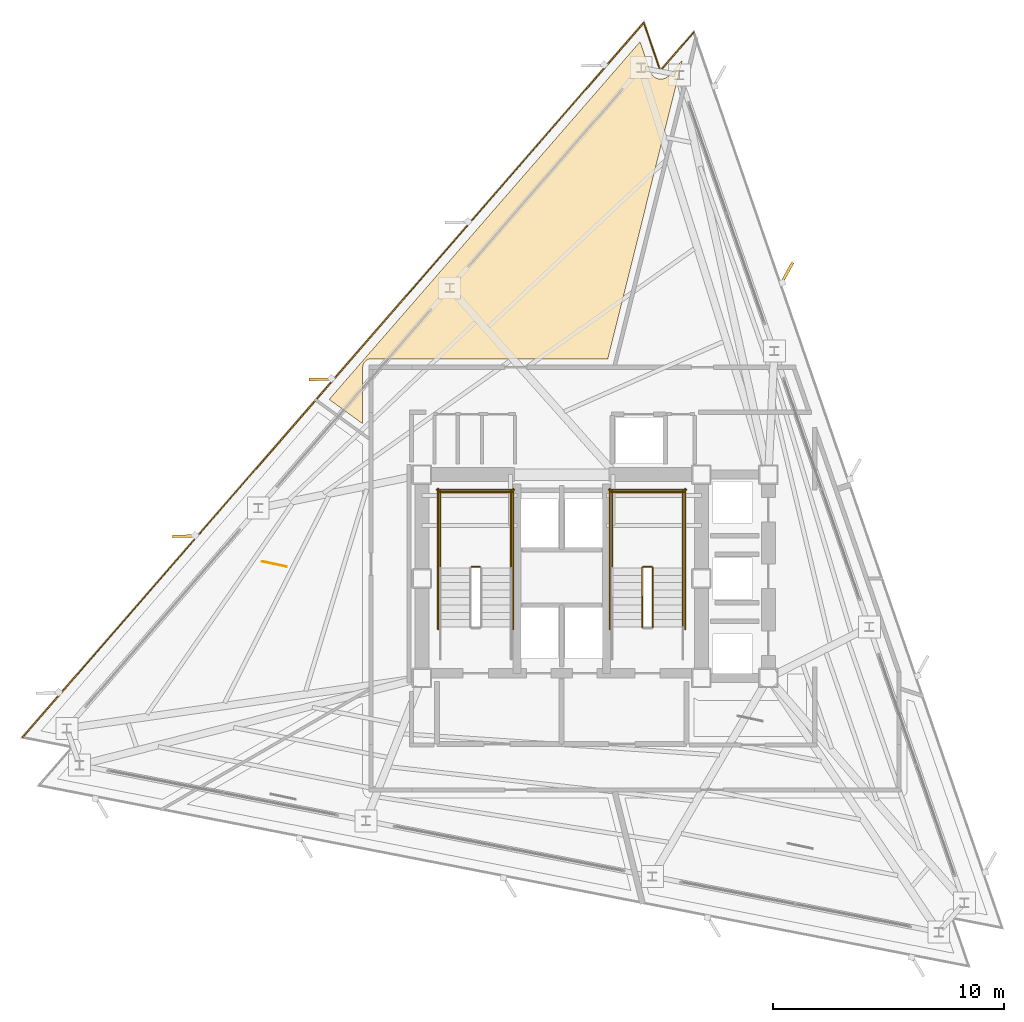
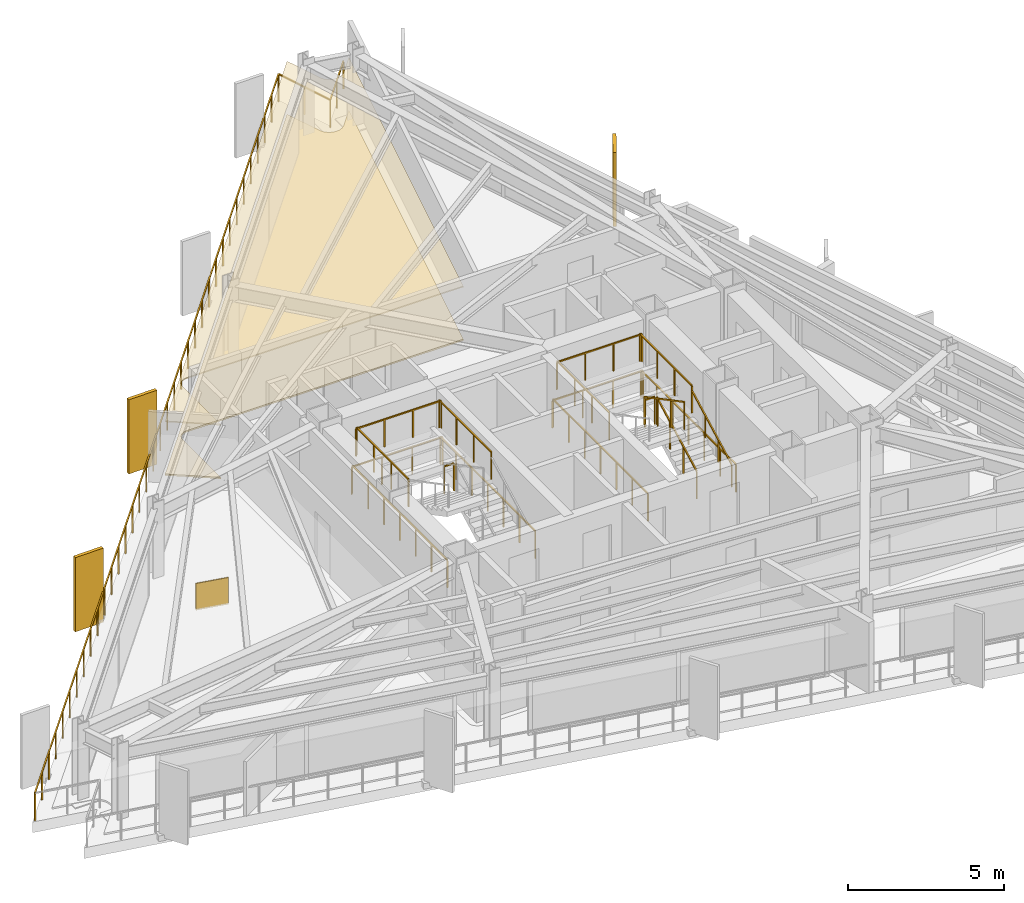
# One storey, part 12 of 13: 18 railings, 3 coverings, 3 shading devices.
"""IFC4 building model written with IfcOpenShell, lengths in metres."""

from ifc_helpers import new_model, si_unit, direction, frame, origin, origin_2d, place, context, subcontext, project, spatial, polyline, rectangle, outline, extrude, material, layer, layer_set, type_object, element, save


model = new_model("IFC4")

# Units and contexts
model_context = context("Model", 3, precision=1e-05, world=origin(), true_north=direction((0.0, 1.0)))
body_context = subcontext(model_context, "Body", "Model", "MODEL_VIEW")
ifc_project = project(units=[si_unit("LENGTHUNIT", "METRE"), si_unit("AREAUNIT", "SQUARE_METRE"), si_unit("VOLUMEUNIT", "CUBIC_METRE"), si_unit("PLANEANGLEUNIT", "RADIAN"), si_unit("MASSUNIT", "GRAM", prefix="KILO")], contexts=[model_context])

# Site, building, storey
site_placement = place(None, origin())
site = spatial("IfcSite", under=ifc_project, at=site_placement, CompositionType="ELEMENT")
building_placement = place(site_placement, origin())
building = spatial("IfcBuilding", under=site, at=building_placement, Name="Rocaltana Carrier Exchange", CompositionType="ELEMENT")
storey_placement = place(building_placement, frame((0.0, 0.0, 147.199951171875)))
storey = spatial("IfcBuildingStorey", under=building, at=storey_placement, Name="L46", CompositionType="ELEMENT", Elevation=147.199951171875)

# Coverings
ifc_material_1 = material(Name="Calcium Sulphate & Aluminium Pedestal", Category="aluminium")
ifc_layer_1 = layer(ifc_material_1, 0.06005859375)
ifc_layer_set_1 = layer_set([ifc_layer_1], Name="Calcium Sulphate & Aluminium Pedestal")
covering_type_1 = type_object("IfcCoveringType", Name="Anti-Static Raised Exchange Access Floor 60", PredefinedType="FLOORING", material=ifc_layer_set_1)
covering_1_placement = place(storey_placement, origin())
element("IfcCovering", 1, at=covering_1_placement, inside=storey, type_object=covering_type_1, Name="L46 Network Operations Office Finish Floor", PredefinedType="FLOORING", context=body_context, shape_type="SweptSolid", body=[
    extrude(outline(polyline([(3.39697265625, 23.24072265625), (3.842529296875, 21.94677734375), (3.847412109375, 21.93359375), (3.85498046875, 21.9150390625), (3.866455078125, 21.889892578125), (3.875732421875, 21.8720703125), (3.889892578125, 21.847900390625), (3.90087890625, 21.831298828125), (3.917236328125, 21.808837890625), (3.9296875, 21.793212890625), (3.948486328125, 21.7724609375), (3.96240234375, 21.75830078125), (3.983154296875, 21.739501953125), (3.99853515625, 21.726806640625), (4.020751953125, 21.710205078125), (4.037353515625, 21.698974609375), (4.061279296875, 21.684814453125), (4.078857421875, 21.67529296875), (4.104248046875, 21.663330078125), (4.12255859375, 21.65576171875), (4.14892578125, 21.646484375), (4.16796875, 21.640625), (4.195068359375, 21.634033203125), (4.214599609375, 21.630126953125), (4.2421875, 21.626220703125), (4.26220703125, 21.62451171875), (4.2900390625, 21.623291015625), (4.31005859375, 21.623291015625), (4.337890625, 21.625), (4.357666015625, 21.627197265625), (4.38525390625, 21.63134765625), (4.40478515625, 21.635498046875), (4.431640625, 21.642578125), (4.45068359375, 21.648681640625), (4.476806640625, 21.658447265625), (4.4951171875, 21.666259765625), (4.520263671875, 21.6787109375), (4.53759765625, 21.688232421875), (4.561279296875, 21.702880859375), (4.577880859375, 21.71435546875), (4.599853515625, 21.731201171875), (4.614990234375, 21.744384765625), (4.635498046875, 21.763427734375), (4.649169921875, 21.77783203125), (4.65869140625, 21.7880859375), (5.223388671875, 22.4375), (2.0, 9.510009765625), (-8.25, 9.510009765625), (-8.263671875, 9.509765625), (-8.271484375, 9.50927734375), (-8.298828125, 9.506591796875), (-8.306640625, 9.50537109375), (-8.33349609375, 9.5), (-8.34130859375, 9.498291015625), (-8.36767578125, 9.490234375), (-8.375, 9.487548828125), (-8.400390625, 9.47705078125), (-8.407470703125, 9.4736328125), (-8.431640625, 9.460693359375), (-8.4384765625, 9.456787109375), (-8.461181640625, 9.44140625), (-8.467529296875, 9.436767578125), (-8.48876953125, 9.419189453125), (-8.49462890625, 9.4140625), (-8.513916015625, 9.39453125), (-8.519287109375, 9.388916015625), (-8.53662109375, 9.367431640625), (-8.54150390625, 9.361083984375), (-8.556640625, 9.33837890625), (-8.560791015625, 9.331787109375), (-8.57373046875, 9.307373046875), (-8.576904296875, 9.30029296875), (-8.58740234375, 9.27490234375), (-8.590087890625, 9.267578125), (-8.59814453125, 9.2412109375), (-8.60009765625, 9.233642578125), (-8.60546875, 9.206787109375), (-8.606689453125, 9.198974609375), (-8.609375, 9.171630859375), (-8.609619140625, 9.163818359375), (-8.610107421875, 9.14990234375), (-8.610107421875, 6.700439453125), (-10.0634765625, 7.75634765625), (3.39697265625, 23.24072265625)])), origin(), (0.0, 0.0, 1.0), 0.06005859375),
])
ifc_material_2 = material(Name="Mineral Fibre & Powder-Coated Aluminium", Category="aluminium")
ifc_layer_2 = layer(ifc_material_2, 0.044921875)
ifc_layer_set_2 = layer_set([ifc_layer_2], Name="Mineral Fibre & Powder-Coated Aluminium")
covering_type_2 = type_object("IfcCoveringType", Name="Micro-Perforated Acoustic Ceiling 45", PredefinedType="CEILING", material=ifc_layer_set_2)
covering_2_placement = place(storey_placement, frame((0.0, 0.0, 2.093017578125)))
element("IfcCovering", 2, at=covering_2_placement, inside=storey, type_object=covering_type_2, Name="L46 Network Operations Office Acoustic Ceiling", PredefinedType="CEILING", context=body_context, shape_type="SweptSolid", body=[
    extrude(outline(polyline([(3.39697265625, 23.24072265625), (3.842529296875, 21.94677734375), (3.847412109375, 21.93359375), (3.85498046875, 21.9150390625), (3.866455078125, 21.889892578125), (3.875732421875, 21.8720703125), (3.889892578125, 21.847900390625), (3.90087890625, 21.831298828125), (3.917236328125, 21.808837890625), (3.9296875, 21.793212890625), (3.948486328125, 21.7724609375), (3.96240234375, 21.75830078125), (3.983154296875, 21.739501953125), (3.99853515625, 21.726806640625), (4.020751953125, 21.710205078125), (4.037353515625, 21.698974609375), (4.061279296875, 21.684814453125), (4.078857421875, 21.67529296875), (4.104248046875, 21.663330078125), (4.12255859375, 21.65576171875), (4.14892578125, 21.646484375), (4.16796875, 21.640625), (4.195068359375, 21.634033203125), (4.214599609375, 21.630126953125), (4.2421875, 21.626220703125), (4.26220703125, 21.62451171875), (4.2900390625, 21.623291015625), (4.31005859375, 21.623291015625), (4.337890625, 21.625), (4.357666015625, 21.627197265625), (4.38525390625, 21.63134765625), (4.40478515625, 21.635498046875), (4.431640625, 21.642578125), (4.45068359375, 21.648681640625), (4.476806640625, 21.658447265625), (4.4951171875, 21.666259765625), (4.520263671875, 21.6787109375), (4.53759765625, 21.688232421875), (4.561279296875, 21.702880859375), (4.577880859375, 21.71435546875), (4.599853515625, 21.731201171875), (4.614990234375, 21.744384765625), (4.635498046875, 21.763427734375), (4.649169921875, 21.77783203125), (4.65869140625, 21.7880859375), (5.223388671875, 22.4375), (2.0, 9.510009765625), (-8.25, 9.510009765625), (-8.263671875, 9.509765625), (-8.271484375, 9.50927734375), (-8.298828125, 9.506591796875), (-8.306640625, 9.50537109375), (-8.33349609375, 9.5), (-8.34130859375, 9.498291015625), (-8.36767578125, 9.490234375), (-8.375, 9.487548828125), (-8.400390625, 9.47705078125), (-8.407470703125, 9.4736328125), (-8.431640625, 9.460693359375), (-8.4384765625, 9.456787109375), (-8.461181640625, 9.44140625), (-8.467529296875, 9.436767578125), (-8.48876953125, 9.419189453125), (-8.49462890625, 9.4140625), (-8.513916015625, 9.39453125), (-8.519287109375, 9.388916015625), (-8.53662109375, 9.367431640625), (-8.54150390625, 9.361083984375), (-8.556640625, 9.33837890625), (-8.560791015625, 9.331787109375), (-8.57373046875, 9.307373046875), (-8.576904296875, 9.30029296875), (-8.58740234375, 9.27490234375), (-8.590087890625, 9.267578125), (-8.59814453125, 9.2412109375), (-8.60009765625, 9.233642578125), (-8.60546875, 9.206787109375), (-8.606689453125, 9.198974609375), (-8.609375, 9.171630859375), (-8.609619140625, 9.163818359375), (-8.610107421875, 9.14990234375), (-8.610107421875, 6.700439453125), (-10.0634765625, 7.75634765625), (3.39697265625, 23.24072265625)])), origin(), (0.0, 0.0, 1.0), 0.044921875),
])

# Railings
ifc_material_3 = material(Name="Brushed Architectural Stainless Tube", Category="steel")
ifc_layer_3 = layer(ifc_material_3, 0.048095703125)
ifc_layer_set_3 = layer_set([ifc_layer_3], Name="Brushed Architectural Stainless Tube")
railing_type_1 = type_object("IfcRailingType", Name="Stair Wall Handrail 920", PredefinedType="HANDRAIL", material=ifc_layer_set_3)
railing_1_placement = place(storey_placement, frame((5.25, -2.10009765625, 0.1689453125)))
element("IfcRailing", 3, at=railing_1_placement, inside=storey, type_object=railing_type_1, Name="L46 ST-2 stair handrail 1", PredefinedType="HANDRAIL", context=body_context, shape_type="SweptSolid", body=[
    extrude(rectangle(XDim=0.048095703125, YDim=0.048095703125, at=origin_2d()), frame((0.0, 0.0, 0.8759765625), z_axis=(0.0, 0.884394423565, 0.466740295633), x_axis=(-1.0, 0.0, 0.0)), (0.0, 0.0, 1.0), 2.894775390625),
    extrude(rectangle(XDim=0.0419921875, YDim=0.0419921875, at=origin_2d()), origin(), (0.0, 0.0, 1.0), 0.851806640625),
    extrude(rectangle(XDim=0.0419921875, YDim=0.0419921875, at=origin_2d()), frame((0.0, 0.853271484375, 0.450439453125)), (0.0, 0.0, 1.0), 0.851806640625),
    extrude(rectangle(XDim=0.0419921875, YDim=0.0419921875, at=origin_2d()), frame((0.0, 1.706787109375, 0.900634765625)), (0.0, 0.0, 1.0), 0.851806640625),
    extrude(rectangle(XDim=0.0419921875, YDim=0.0419921875, at=origin_2d()), frame((0.0, 2.56005859375, 1.35107421875)), (0.0, 0.0, 1.0), 0.851806640625),
])
ifc_material_4 = material(Name="Powder-Coated Aluminium 6063-T6", Category="aluminium")
ifc_layer_4 = layer(ifc_material_4, 0.048095703125)
ifc_layer_set_4 = layer_set([ifc_layer_4], Name="Powder-Coated Aluminium 6063-T6")
railing_type_2 = type_object("IfcRailingType", Name="Stair Well Guardrail 1100", PredefinedType="GUARDRAIL", material=ifc_layer_set_4)
railing_2_placement = place(storey_placement, frame((-3.5400390625, 0.510009765625, 1.52001953125)))
element("IfcRailing", 4, at=railing_2_placement, inside=storey, type_object=railing_type_2, Name="L46 ST-1 stair guard 2", PredefinedType="GUARDRAIL", context=body_context, shape_type="SweptSolid", body=[
    extrude(rectangle(XDim=0.048095703125, YDim=0.048095703125, at=origin_2d()), frame((0.0, 0.0, 1.076171875), z_axis=(-1.0, 0.0, 0.0), x_axis=(0.0, -1.0, 0.0)), (0.0, 0.0, 1.0), 0.35986328125),
    extrude(rectangle(XDim=0.0419921875, YDim=0.0419921875, at=origin_2d()), origin(), (0.0, 0.0, 1.0), 1.052001953125),
    extrude(rectangle(XDim=0.0419921875, YDim=0.0419921875, at=origin_2d()), frame((-0.35986328125, 0.0, 0.0)), (0.0, 0.0, 1.0), 1.052001953125),
])
for number, where, name in (
    (5, (-2.18994140625, 0.4599609375, 1.52001953125), "L46 ST-1 stair guard 3"),
    (6, (-5.25, 0.4599609375, 1.52001953125), "L46 ST-1 stair guard 4"),
):
    element("IfcRailing", number, at=place(storey_placement, frame(where)), inside=storey, type_object=railing_type_2, Name=name, PredefinedType="GUARDRAIL", context=body_context, shape_type="SweptSolid", body=[
        extrude(rectangle(XDim=0.048095703125, YDim=0.048095703125, at=origin_2d()), frame((0.0, 0.0, 1.076171875), z_axis=(0.0, 1.0, 0.0), x_axis=(-1.0, 0.0, 0.0)), (0.0, 0.0, 1.0), 3.340087890625),
        extrude(rectangle(XDim=0.0419921875, YDim=0.0419921875, at=origin_2d()), origin(), (0.0, 0.0, 1.0), 1.052001953125),
        extrude(rectangle(XDim=0.0419921875, YDim=0.0419921875, at=origin_2d()), frame((0.0, 1.11328125, 0.0)), (0.0, 0.0, 1.0), 1.052001953125),
        extrude(rectangle(XDim=0.0419921875, YDim=0.0419921875, at=origin_2d()), frame((0.0, 2.226806640625, 0.0)), (0.0, 0.0, 1.0), 1.052001953125),
        extrude(rectangle(XDim=0.0419921875, YDim=0.0419921875, at=origin_2d()), frame((0.0, 3.340087890625, 0.0)), (0.0, 0.0, 1.0), 1.052001953125),
    ])
railing_3_placement = place(storey_placement, frame((-2.139892578125, 3.75, 1.52001953125)))
element("IfcRailing", 7, at=railing_3_placement, inside=storey, type_object=railing_type_2, Name="L46 ST-1 stair guard 5", PredefinedType="GUARDRAIL", context=body_context, shape_type="SweptSolid", body=[
    extrude(rectangle(XDim=0.048095703125, YDim=0.048095703125, at=origin_2d()), frame((0.0, 0.0, 1.076171875), z_axis=(-1.0, 0.0, 0.0), x_axis=(0.0, -1.0, 0.0)), (0.0, 0.0, 1.0), 3.16015625),
    extrude(rectangle(XDim=0.0419921875, YDim=0.0419921875, at=origin_2d()), origin(), (0.0, 0.0, 1.0), 1.052001953125),
    extrude(rectangle(XDim=0.0419921875, YDim=0.0419921875, at=origin_2d()), frame((-1.053466796875, 0.0, 0.0)), (0.0, 0.0, 1.0), 1.052001953125),
    extrude(rectangle(XDim=0.0419921875, YDim=0.0419921875, at=origin_2d()), frame((-2.106689453125, 0.0, 0.0)), (0.0, 0.0, 1.0), 1.052001953125),
    extrude(rectangle(XDim=0.0419921875, YDim=0.0419921875, at=origin_2d()), frame((-3.16015625, 0.0, 0.0)), (0.0, 0.0, 1.0), 1.052001953125),
])
for number, where, name in (
    (8, (-2.090087890625, -2.199951171875, 0.0), "L46 ST-1 stair guard 10"),
    (9, (-5.35009765625, -2.199951171875, 0.0), "L46 ST-1 stair guard 11"),
):
    element("IfcRailing", number, at=place(storey_placement, frame(where)), inside=storey, type_object=railing_type_2, Name=name, PredefinedType="GUARDRAIL", context=body_context, shape_type="SweptSolid", body=[
        extrude(rectangle(XDim=0.048095703125, YDim=0.048095703125, at=origin_2d()), frame((0.0, 0.0, 1.076171875), z_axis=(0.0, 1.0, 0.0), x_axis=(-1.0, 0.0, 0.0)), (0.0, 0.0, 1.0), 6.099853515625),
        extrude(rectangle(XDim=0.0419921875, YDim=0.0419921875, at=origin_2d()), origin(), (0.0, 0.0, 1.0), 1.052001953125),
        extrude(rectangle(XDim=0.0419921875, YDim=0.0419921875, at=origin_2d()), frame((0.0, 1.0166015625, 0.0)), (0.0, 0.0, 1.0), 1.052001953125),
        extrude(rectangle(XDim=0.0419921875, YDim=0.0419921875, at=origin_2d()), frame((0.0, 2.033203125, 0.0)), (0.0, 0.0, 1.0), 1.052001953125),
        extrude(rectangle(XDim=0.0419921875, YDim=0.0419921875, at=origin_2d()), frame((0.0, 3.0498046875, 0.0)), (0.0, 0.0, 1.0), 1.052001953125),
        extrude(rectangle(XDim=0.0419921875, YDim=0.0419921875, at=origin_2d()), frame((0.0, 4.066650390625, 0.0)), (0.0, 0.0, 1.0), 1.052001953125),
        extrude(rectangle(XDim=0.0419921875, YDim=0.0419921875, at=origin_2d()), frame((0.0, 5.083251953125, 0.0)), (0.0, 0.0, 1.0), 1.052001953125),
        extrude(rectangle(XDim=0.0419921875, YDim=0.0419921875, at=origin_2d()), frame((0.0, 6.099853515625, 0.0)), (0.0, 0.0, 1.0), 1.052001953125),
    ])
railing_4_placement = place(storey_placement, frame((-2.0400390625, 3.85009765625, 0.0)))
element("IfcRailing", 10, at=railing_4_placement, inside=storey, type_object=railing_type_2, Name="L46 ST-1 stair guard 12", PredefinedType="GUARDRAIL", context=body_context, shape_type="SweptSolid", body=[
    extrude(rectangle(XDim=0.048095703125, YDim=0.048095703125, at=origin_2d()), frame((0.0, 0.0, 1.076171875), z_axis=(-1.0, 0.0, 0.0), x_axis=(0.0, -1.0, 0.0)), (0.0, 0.0, 1.0), 3.35986328125),
    extrude(rectangle(XDim=0.0419921875, YDim=0.0419921875, at=origin_2d()), origin(), (0.0, 0.0, 1.0), 1.052001953125),
    extrude(rectangle(XDim=0.0419921875, YDim=0.0419921875, at=origin_2d()), frame((-1.119873046875, 0.0, 0.0)), (0.0, 0.0, 1.0), 1.052001953125),
    extrude(rectangle(XDim=0.0419921875, YDim=0.0419921875, at=origin_2d()), frame((-2.239990234375, 0.0, 0.0)), (0.0, 0.0, 1.0), 1.052001953125),
    extrude(rectangle(XDim=0.0419921875, YDim=0.0419921875, at=origin_2d()), frame((-3.35986328125, 0.0, 0.0)), (0.0, 0.0, 1.0), 1.052001953125),
])
railing_5_placement = place(storey_placement, frame((3.949951171875, -2.10009765625, 0.1689453125)))
element("IfcRailing", 11, at=railing_5_placement, inside=storey, type_object=railing_type_2, Name="L46 ST-2 stair guard 1", PredefinedType="GUARDRAIL", context=body_context, shape_type="SweptSolid", body=[
    extrude(rectangle(XDim=0.048095703125, YDim=0.048095703125, at=origin_2d()), frame((0.0, 0.0, 1.076171875), z_axis=(0.0, 0.884394423565, 0.466740295633), x_axis=(-1.0, 0.0, 0.0)), (0.0, 0.0, 1.0), 2.894775390625),
    extrude(rectangle(XDim=0.0419921875, YDim=0.0419921875, at=origin_2d()), origin(), (0.0, 0.0, 1.0), 1.052001953125),
    extrude(rectangle(XDim=0.0419921875, YDim=0.0419921875, at=origin_2d()), frame((0.0, 0.853271484375, 0.450439453125)), (0.0, 0.0, 1.0), 1.052001953125),
    extrude(rectangle(XDim=0.0419921875, YDim=0.0419921875, at=origin_2d()), frame((0.0, 1.706787109375, 0.900634765625)), (0.0, 0.0, 1.0), 1.052001953125),
    extrude(rectangle(XDim=0.0419921875, YDim=0.0419921875, at=origin_2d()), frame((0.0, 2.56005859375, 1.35107421875)), (0.0, 0.0, 1.0), 1.052001953125),
])
railing_6_placement = place(storey_placement, frame((3.89990234375, 0.510009765625, 1.52001953125)))
element("IfcRailing", 12, at=railing_6_placement, inside=storey, type_object=railing_type_2, Name="L46 ST-2 stair guard 2", PredefinedType="GUARDRAIL", context=body_context, shape_type="SweptSolid", body=[
    extrude(rectangle(XDim=0.048095703125, YDim=0.048095703125, at=origin_2d()), frame((0.0, 0.0, 1.076171875), z_axis=(-1.0, 0.0, 0.0), x_axis=(0.0, -1.0, 0.0)), (0.0, 0.0, 1.0), 0.35986328125),
    extrude(rectangle(XDim=0.0419921875, YDim=0.0419921875, at=origin_2d()), origin(), (0.0, 0.0, 1.0), 1.052001953125),
    extrude(rectangle(XDim=0.0419921875, YDim=0.0419921875, at=origin_2d()), frame((-0.35986328125, 0.0, 0.0)), (0.0, 0.0, 1.0), 1.052001953125),
])
for number, where, name in (
    (13, (5.25, 0.4599609375, 1.52001953125), "L46 ST-2 stair guard 3"),
    (14, (2.18994140625, 0.4599609375, 1.52001953125), "L46 ST-2 stair guard 4"),
):
    element("IfcRailing", number, at=place(storey_placement, frame(where)), inside=storey, type_object=railing_type_2, Name=name, PredefinedType="GUARDRAIL", context=body_context, shape_type="SweptSolid", body=[
        extrude(rectangle(XDim=0.048095703125, YDim=0.048095703125, at=origin_2d()), frame((0.0, 0.0, 1.076171875), z_axis=(0.0, 1.0, 0.0), x_axis=(-1.0, 0.0, 0.0)), (0.0, 0.0, 1.0), 3.340087890625),
        extrude(rectangle(XDim=0.0419921875, YDim=0.0419921875, at=origin_2d()), origin(), (0.0, 0.0, 1.0), 1.052001953125),
        extrude(rectangle(XDim=0.0419921875, YDim=0.0419921875, at=origin_2d()), frame((0.0, 1.11328125, 0.0)), (0.0, 0.0, 1.0), 1.052001953125),
        extrude(rectangle(XDim=0.0419921875, YDim=0.0419921875, at=origin_2d()), frame((0.0, 2.226806640625, 0.0)), (0.0, 0.0, 1.0), 1.052001953125),
        extrude(rectangle(XDim=0.0419921875, YDim=0.0419921875, at=origin_2d()), frame((0.0, 3.340087890625, 0.0)), (0.0, 0.0, 1.0), 1.052001953125),
    ])
railing_7_placement = place(storey_placement, frame((5.300048828125, 3.75, 1.52001953125)))
element("IfcRailing", 15, at=railing_7_placement, inside=storey, type_object=railing_type_2, Name="L46 ST-2 stair guard 5", PredefinedType="GUARDRAIL", context=body_context, shape_type="SweptSolid", body=[
    extrude(rectangle(XDim=0.048095703125, YDim=0.048095703125, at=origin_2d()), frame((0.0, 0.0, 1.076171875), z_axis=(-1.0, 0.0, 0.0), x_axis=(0.0, -1.0, 0.0)), (0.0, 0.0, 1.0), 3.16015625),
    extrude(rectangle(XDim=0.0419921875, YDim=0.0419921875, at=origin_2d()), origin(), (0.0, 0.0, 1.0), 1.052001953125),
    extrude(rectangle(XDim=0.0419921875, YDim=0.0419921875, at=origin_2d()), frame((-1.053466796875, 0.0, 0.0)), (0.0, 0.0, 1.0), 1.052001953125),
    extrude(rectangle(XDim=0.0419921875, YDim=0.0419921875, at=origin_2d()), frame((-2.106689453125, 0.0, 0.0)), (0.0, 0.0, 1.0), 1.052001953125),
    extrude(rectangle(XDim=0.0419921875, YDim=0.0419921875, at=origin_2d()), frame((-3.16015625, 0.0, 0.0)), (0.0, 0.0, 1.0), 1.052001953125),
])
railing_8_placement = place(storey_placement, frame((3.489990234375, 0.4599609375, 1.68896484375)))
element("IfcRailing", 16, at=railing_8_placement, inside=storey, type_object=railing_type_2, Name="L46 ST-2 stair guard 6", PredefinedType="GUARDRAIL", context=body_context, shape_type="SweptSolid", body=[
    extrude(rectangle(XDim=0.048095703125, YDim=0.048095703125, at=origin_2d()), frame((0.0, 0.0, 1.076171875), z_axis=(0.0, -0.884394423565, 0.466740295633), x_axis=(1.0, 0.0, 0.0)), (0.0, 0.0, 1.0), 2.894775390625),
    extrude(rectangle(XDim=0.0419921875, YDim=0.0419921875, at=origin_2d()), origin(), (0.0, 0.0, 1.0), 1.052001953125),
    extrude(rectangle(XDim=0.0419921875, YDim=0.0419921875, at=origin_2d()), frame((0.0, -0.853271484375, 0.450439453125)), (0.0, 0.0, 1.0), 1.052001953125),
    extrude(rectangle(XDim=0.0419921875, YDim=0.0419921875, at=origin_2d()), frame((0.0, -1.706787109375, 0.900634765625)), (0.0, 0.0, 1.0), 1.052001953125),
    extrude(rectangle(XDim=0.0419921875, YDim=0.0419921875, at=origin_2d()), frame((0.0, -2.56005859375, 1.35107421875)), (0.0, 0.0, 1.0), 1.052001953125),
])
for number, where, name in (
    (17, (5.35009765625, -2.199951171875, 0.0), "L46 ST-2 stair guard 10"),
    (18, (2.090087890625, -2.199951171875, 0.0), "L46 ST-2 stair guard 11"),
):
    element("IfcRailing", number, at=place(storey_placement, frame(where)), inside=storey, type_object=railing_type_2, Name=name, PredefinedType="GUARDRAIL", context=body_context, shape_type="SweptSolid", body=[
        extrude(rectangle(XDim=0.048095703125, YDim=0.048095703125, at=origin_2d()), frame((0.0, 0.0, 1.076171875), z_axis=(0.0, 1.0, 0.0), x_axis=(-1.0, 0.0, 0.0)), (0.0, 0.0, 1.0), 6.099853515625),
        extrude(rectangle(XDim=0.0419921875, YDim=0.0419921875, at=origin_2d()), origin(), (0.0, 0.0, 1.0), 1.052001953125),
        extrude(rectangle(XDim=0.0419921875, YDim=0.0419921875, at=origin_2d()), frame((0.0, 1.0166015625, 0.0)), (0.0, 0.0, 1.0), 1.052001953125),
        extrude(rectangle(XDim=0.0419921875, YDim=0.0419921875, at=origin_2d()), frame((0.0, 2.033203125, 0.0)), (0.0, 0.0, 1.0), 1.052001953125),
        extrude(rectangle(XDim=0.0419921875, YDim=0.0419921875, at=origin_2d()), frame((0.0, 3.0498046875, 0.0)), (0.0, 0.0, 1.0), 1.052001953125),
        extrude(rectangle(XDim=0.0419921875, YDim=0.0419921875, at=origin_2d()), frame((0.0, 4.066650390625, 0.0)), (0.0, 0.0, 1.0), 1.052001953125),
        extrude(rectangle(XDim=0.0419921875, YDim=0.0419921875, at=origin_2d()), frame((0.0, 5.083251953125, 0.0)), (0.0, 0.0, 1.0), 1.052001953125),
        extrude(rectangle(XDim=0.0419921875, YDim=0.0419921875, at=origin_2d()), frame((0.0, 6.099853515625, 0.0)), (0.0, 0.0, 1.0), 1.052001953125),
    ])
railing_9_placement = place(storey_placement, frame((5.39990234375, 3.85009765625, 0.0)))
element("IfcRailing", 19, at=railing_9_placement, inside=storey, type_object=railing_type_2, Name="L46 ST-2 stair guard 12", PredefinedType="GUARDRAIL", context=body_context, shape_type="SweptSolid", body=[
    extrude(rectangle(XDim=0.048095703125, YDim=0.048095703125, at=origin_2d()), frame((0.0, 0.0, 1.076171875), z_axis=(-1.0, 0.0, 0.0), x_axis=(0.0, -1.0, 0.0)), (0.0, 0.0, 1.0), 3.35986328125),
    extrude(rectangle(XDim=0.0419921875, YDim=0.0419921875, at=origin_2d()), origin(), (0.0, 0.0, 1.0), 1.052001953125),
    extrude(rectangle(XDim=0.0419921875, YDim=0.0419921875, at=origin_2d()), frame((-1.119873046875, 0.0, 0.0)), (0.0, 0.0, 1.0), 1.052001953125),
    extrude(rectangle(XDim=0.0419921875, YDim=0.0419921875, at=origin_2d()), frame((-2.239990234375, 0.0, 0.0)), (0.0, 0.0, 1.0), 1.052001953125),
    extrude(rectangle(XDim=0.0419921875, YDim=0.0419921875, at=origin_2d()), frame((-3.35986328125, 0.0, 0.0)), (0.0, 0.0, 1.0), 1.052001953125),
])

# Covering
ifc_material_5 = material(Name="Honed Piedra Muneca Sandstone", Category="masonry")
ifc_layer_5 = layer(ifc_material_5, 0.034912109375)
ifc_layer_set_5 = layer_set([ifc_layer_5], Name="Honed Piedra Muneca Sandstone")
covering_type_3 = type_object("IfcCoveringType", Name="Stone Facade Cladding 35", PredefinedType="CLADDING", material=ifc_layer_set_5)
covering_3_placement = place(storey_placement, frame((-12.435302734375, 0.627685546875, 0.0), z_axis=(0.0, 0.0, 1.0), x_axis=(-0.978147600734, 0.207911690818, 0.0)))
element("IfcCovering", 20, at=covering_3_placement, inside=storey, type_object=covering_type_3, Name="L46 Stone Facade Cladding Panel 1", PredefinedType="CLADDING", context=body_context, shape_type="SweptSolid", body=[
    extrude(rectangle(XDim=1.10009765625, YDim=0.034912109375, at=origin_2d()), origin(), (0.0, 0.0, 1.0), 1.050048828125),
])

# Shading devices
ifc_material_6 = material(Name="Honed Bogota Sandstone & Concrete C45/55", Category="masonry")
ifc_layer_6 = layer(ifc_material_6, 0.1201171875)
ifc_layer_set_6 = layer_set([ifc_layer_6], Name="Honed Bogota Sandstone & Concrete C45/55")
shading_device_type = type_object("IfcShadingDeviceType", Name="Upper Sandstone Shading Fin 1050x120", PredefinedType="USERDEFINED", material=ifc_layer_set_6)
for number, where, z_axis, x_axis, name in (
    (21, (9.75146484375, 13.219482421875, -0.1201171875), (0.0, 0.0, 1.0), (0.484809620246, 0.874619707139, 0.0), "L46 Sandstone Vertical Fin F1-04"),
    (22, (-10.419677734375, 8.627685546875, -0.1201171875), (0.0, 0.0, 1.0), (-0.999847695156, -0.017452406437, 0.0), "L46 Sandstone Vertical Fin F2-03"),
    (23, (-16.32421875, 1.835205078125, -0.1201171875), (0.0, 0.0, 1.0), (-0.999847695156, -0.017452406437, 0.0), "L46 Sandstone Vertical Fin F2-04"),
):
    element("IfcShadingDevice", number, at=place(storey_placement, frame(where, z_axis=z_axis, x_axis=x_axis)), inside=storey, type_object=shading_device_type, Name=name, ObjectType="FIN", PredefinedType="USERDEFINED", context=body_context, shape_type="SweptSolid", body=[
        extrude(rectangle(XDim=1.050048828125, YDim=0.1201171875, at=origin_2d()), origin(), (0.0, 0.0, 1.0), 2.907958984375),
    ])

# Railing
ifc_material_7 = material(Name="Powder-Coated Aluminium 6063-T6", Category="aluminium")
ifc_layer_7 = layer(ifc_material_7, 0.06005859375)
ifc_layer_set_7 = layer_set([ifc_layer_7], Name="Powder-Coated Aluminium 6063-T6")
railing_type_3 = type_object("IfcRailingType", Name="Wind-Floor & Terrace Perimeter Guardrail 1100", PredefinedType="GUARDRAIL", material=ifc_layer_set_7)
railing_10_placement = place(storey_placement, frame((-23.3359375, -6.871826171875, 0.0)))
element("IfcRailing", 24, at=railing_10_placement, inside=storey, type_object=railing_type_3, Name="L46 Perimeter Balcony Guardrail 2", PredefinedType="GUARDRAIL", context=body_context, shape_type="SweptSolid", body=[
    extrude(rectangle(XDim=0.048095703125, YDim=0.048095703125, at=origin_2d()), frame((0.0, 0.0, 1.076171875), z_axis=(0.656058089841, 0.754710396612, 0.0), x_axis=(-0.754710396612, 0.656058089841, 0.0)), (0.0, 0.0, 1.0), 40.991943359375),
    extrude(rectangle(XDim=0.048095703125, YDim=0.048095703125, at=origin_2d()), frame((26.89306640625, 30.93701171875, 1.076171875), z_axis=(0.325600768791, -0.945507344955, 0.0), x_axis=(0.945507344955, 0.325600768791, 0.0)), (0.0, 0.0, 1.0), 2.199951171875),
    extrude(rectangle(XDim=0.048095703125, YDim=0.048095703125, at=origin_2d()), frame((27.609375, 28.85693359375, 1.076171875), z_axis=(0.656057821484, 0.75471062989, 0.0), x_axis=(-0.75471062989, 0.656057821484, 0.0)), (0.0, 0.0, 1.0), 2.199951171875),
    extrude(rectangle(XDim=0.0419921875, YDim=0.0419921875, at=origin_2d()), origin(), (0.0, 0.0, 1.0), 1.052001953125),
    extrude(rectangle(XDim=0.0419921875, YDim=0.0419921875, at=origin_2d()), frame((0.768310546875, 0.884033203125, 0.0)), (0.0, 0.0, 1.0), 1.052001953125),
    extrude(rectangle(XDim=0.0419921875, YDim=0.0419921875, at=origin_2d()), frame((1.536865234375, 1.767822265625, 0.0)), (0.0, 0.0, 1.0), 1.052001953125),
    extrude(rectangle(XDim=0.0419921875, YDim=0.0419921875, at=origin_2d()), frame((2.30517578125, 2.65185546875, 0.0)), (0.0, 0.0, 1.0), 1.052001953125),
    extrude(rectangle(XDim=0.0419921875, YDim=0.0419921875, at=origin_2d()), frame((3.073486328125, 3.53564453125, 0.0)), (0.0, 0.0, 1.0), 1.052001953125),
    extrude(rectangle(XDim=0.0419921875, YDim=0.0419921875, at=origin_2d()), frame((3.841796875, 4.419677734375, 0.0)), (0.0, 0.0, 1.0), 1.052001953125),
    extrude(rectangle(XDim=0.0419921875, YDim=0.0419921875, at=origin_2d()), frame((4.6103515625, 5.303466796875, 0.0)), (0.0, 0.0, 1.0), 1.052001953125),
    extrude(rectangle(XDim=0.0419921875, YDim=0.0419921875, at=origin_2d()), frame((5.378662109375, 6.1875, 0.0)), (0.0, 0.0, 1.0), 1.052001953125),
    extrude(rectangle(XDim=0.0419921875, YDim=0.0419921875, at=origin_2d()), frame((6.14697265625, 7.0712890625, 0.0)), (0.0, 0.0, 1.0), 1.052001953125),
    extrude(rectangle(XDim=0.0419921875, YDim=0.0419921875, at=origin_2d()), frame((6.915283203125, 7.955322265625, 0.0)), (0.0, 0.0, 1.0), 1.052001953125),
    extrude(rectangle(XDim=0.0419921875, YDim=0.0419921875, at=origin_2d()), frame((7.683837890625, 8.839111328125, 0.0)), (0.0, 0.0, 1.0), 1.052001953125),
    extrude(rectangle(XDim=0.0419921875, YDim=0.0419921875, at=origin_2d()), frame((8.4521484375, 9.72314453125, 0.0)), (0.0, 0.0, 1.0), 1.052001953125),
    extrude(rectangle(XDim=0.0419921875, YDim=0.0419921875, at=origin_2d()), frame((9.220458984375, 10.60693359375, 0.0)), (0.0, 0.0, 1.0), 1.052001953125),
    extrude(rectangle(XDim=0.0419921875, YDim=0.0419921875, at=origin_2d()), frame((9.98876953125, 11.490966796875, 0.0)), (0.0, 0.0, 1.0), 1.052001953125),
    extrude(rectangle(XDim=0.0419921875, YDim=0.0419921875, at=origin_2d()), frame((10.75732421875, 12.374755859375, 0.0)), (0.0, 0.0, 1.0), 1.052001953125),
    extrude(rectangle(XDim=0.0419921875, YDim=0.0419921875, at=origin_2d()), frame((11.525634765625, 13.2587890625, 0.0)), (0.0, 0.0, 1.0), 1.052001953125),
    extrude(rectangle(XDim=0.0419921875, YDim=0.0419921875, at=origin_2d()), frame((12.2939453125, 14.142578125, 0.0)), (0.0, 0.0, 1.0), 1.052001953125),
    extrude(rectangle(XDim=0.0419921875, YDim=0.0419921875, at=origin_2d()), frame((13.062255859375, 15.026611328125, 0.0)), (0.0, 0.0, 1.0), 1.052001953125),
    extrude(rectangle(XDim=0.0419921875, YDim=0.0419921875, at=origin_2d()), frame((13.830810546875, 15.910400390625, 0.0)), (0.0, 0.0, 1.0), 1.052001953125),
    extrude(rectangle(XDim=0.0419921875, YDim=0.0419921875, at=origin_2d()), frame((14.59912109375, 16.79443359375, 0.0)), (0.0, 0.0, 1.0), 1.052001953125),
    extrude(rectangle(XDim=0.0419921875, YDim=0.0419921875, at=origin_2d()), frame((15.367431640625, 17.67822265625, 0.0)), (0.0, 0.0, 1.0), 1.052001953125),
    extrude(rectangle(XDim=0.0419921875, YDim=0.0419921875, at=origin_2d()), frame((16.1357421875, 18.562255859375, 0.0)), (0.0, 0.0, 1.0), 1.052001953125),
    extrude(rectangle(XDim=0.0419921875, YDim=0.0419921875, at=origin_2d()), frame((16.904296875, 19.446044921875, 0.0)), (0.0, 0.0, 1.0), 1.052001953125),
    extrude(rectangle(XDim=0.0419921875, YDim=0.0419921875, at=origin_2d()), frame((17.672607421875, 20.330078125, 0.0)), (0.0, 0.0, 1.0), 1.052001953125),
    extrude(rectangle(XDim=0.0419921875, YDim=0.0419921875, at=origin_2d()), frame((18.44091796875, 21.2138671875, 0.0)), (0.0, 0.0, 1.0), 1.052001953125),
    extrude(rectangle(XDim=0.0419921875, YDim=0.0419921875, at=origin_2d()), frame((19.209228515625, 22.097900390625, 0.0)), (0.0, 0.0, 1.0), 1.052001953125),
    extrude(rectangle(XDim=0.0419921875, YDim=0.0419921875, at=origin_2d()), frame((19.977783203125, 22.981689453125, 0.0)), (0.0, 0.0, 1.0), 1.052001953125),
    extrude(rectangle(XDim=0.0419921875, YDim=0.0419921875, at=origin_2d()), frame((20.74609375, 23.86572265625, 0.0)), (0.0, 0.0, 1.0), 1.052001953125),
    extrude(rectangle(XDim=0.0419921875, YDim=0.0419921875, at=origin_2d()), frame((21.514404296875, 24.74951171875, 0.0)), (0.0, 0.0, 1.0), 1.052001953125),
    extrude(rectangle(XDim=0.0419921875, YDim=0.0419921875, at=origin_2d()), frame((22.28271484375, 25.633544921875, 0.0)), (0.0, 0.0, 1.0), 1.052001953125),
    extrude(rectangle(XDim=0.0419921875, YDim=0.0419921875, at=origin_2d()), frame((23.05126953125, 26.517333984375, 0.0)), (0.0, 0.0, 1.0), 1.052001953125),
    extrude(rectangle(XDim=0.0419921875, YDim=0.0419921875, at=origin_2d()), frame((23.819580078125, 27.4013671875, 0.0)), (0.0, 0.0, 1.0), 1.052001953125),
    extrude(rectangle(XDim=0.0419921875, YDim=0.0419921875, at=origin_2d()), frame((24.587890625, 28.28515625, 0.0)), (0.0, 0.0, 1.0), 1.052001953125),
    extrude(rectangle(XDim=0.0419921875, YDim=0.0419921875, at=origin_2d()), frame((25.356201171875, 29.169189453125, 0.0)), (0.0, 0.0, 1.0), 1.052001953125),
    extrude(rectangle(XDim=0.0419921875, YDim=0.0419921875, at=origin_2d()), frame((26.124755859375, 30.052978515625, 0.0)), (0.0, 0.0, 1.0), 1.052001953125),
    extrude(rectangle(XDim=0.0419921875, YDim=0.0419921875, at=origin_2d()), frame((26.89306640625, 30.93701171875, 0.0)), (0.0, 0.0, 1.0), 1.052001953125),
    extrude(rectangle(XDim=0.0419921875, YDim=0.0419921875, at=origin_2d()), frame((27.251220703125, 29.89697265625, 0.0)), (0.0, 0.0, 1.0), 1.052001953125),
    extrude(rectangle(XDim=0.0419921875, YDim=0.0419921875, at=origin_2d()), frame((27.609375, 28.85693359375, 0.0)), (0.0, 0.0, 1.0), 1.052001953125),
    extrude(rectangle(XDim=0.0419921875, YDim=0.0419921875, at=origin_2d()), frame((28.3310546875, 29.68701171875, 0.0)), (0.0, 0.0, 1.0), 1.052001953125),
    extrude(rectangle(XDim=0.0419921875, YDim=0.0419921875, at=origin_2d()), frame((29.052734375, 30.517333984375, 0.0)), (0.0, 0.0, 1.0), 1.052001953125),
])

save(model, "model.ifc")
